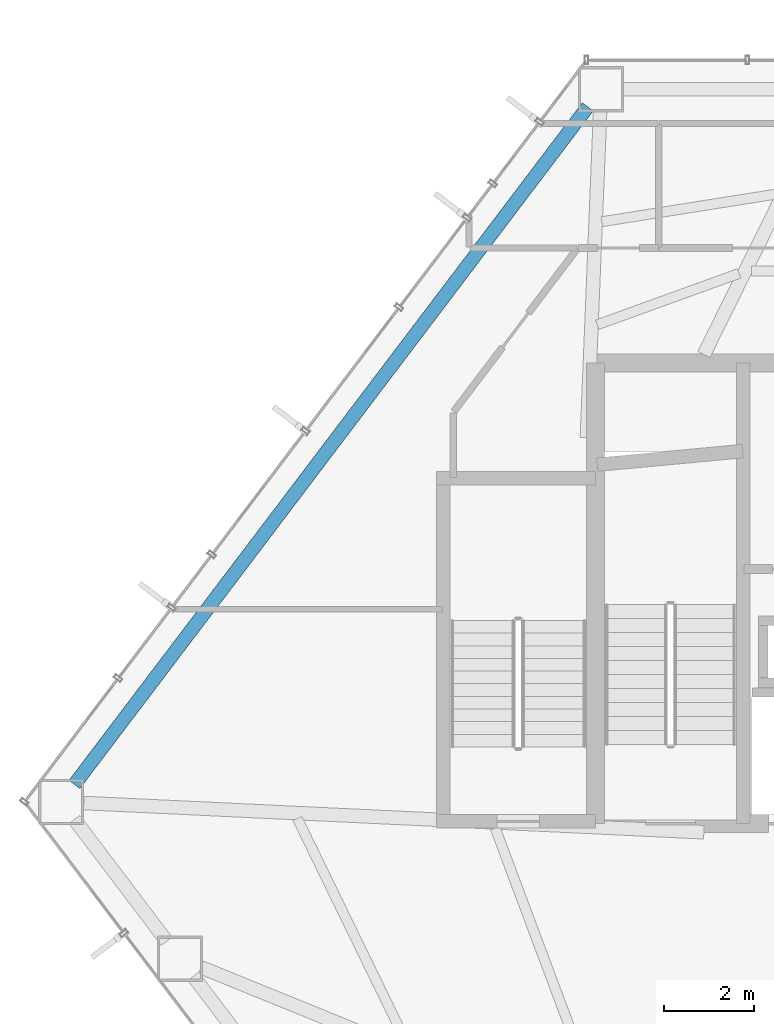
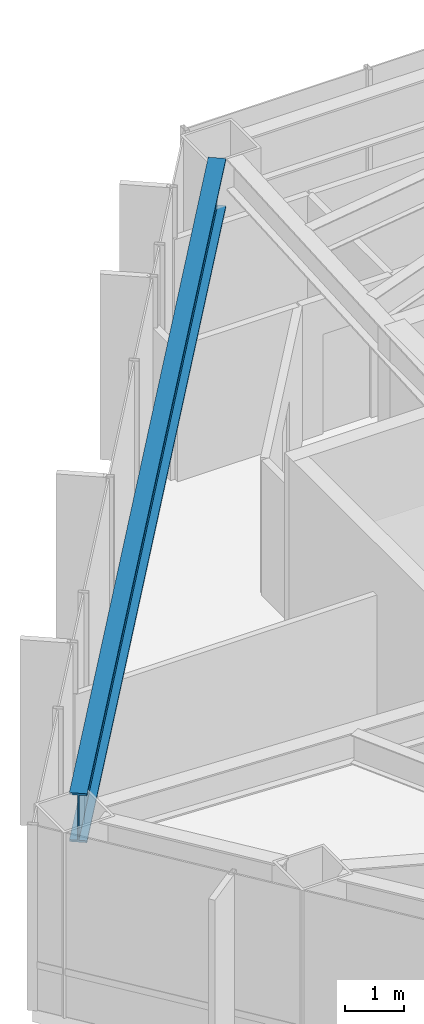
# One storey, part 10 of 26: 1 beam.
"""IFC4 building model written with IfcOpenShell, lengths in metres."""

from ifc_helpers import new_model, si_unit, direction, frame, origin, origin_2d, place, context, subcontext, project, spatial, i_section, extrude, material, material_profile, profile_set, type_object, element, save


model = new_model("IFC4")

# Units and contexts
model_context = context("Model", 3, precision=1e-05, world=origin(), true_north=direction((0.0, 1.0)))
body_context = subcontext(model_context, "Body", "Model", "MODEL_VIEW")
ifc_project = project(units=[si_unit("LENGTHUNIT", "METRE"), si_unit("AREAUNIT", "SQUARE_METRE"), si_unit("VOLUMEUNIT", "CUBIC_METRE"), si_unit("PLANEANGLEUNIT", "RADIAN"), si_unit("MASSUNIT", "GRAM", prefix="KILO")], contexts=[model_context])

# Site, building, storey
site_placement = place(None, origin())
site = spatial("IfcSite", under=ifc_project, at=site_placement, CompositionType="ELEMENT")
building_placement = place(site_placement, origin())
building = spatial("IfcBuilding", under=site, at=building_placement, Name="Zarrinselat Tower", CompositionType="ELEMENT")
storey_placement = place(building_placement, frame((0.0, 0.0, 31.6201171875)))
storey = spatial("IfcBuildingStorey", under=building, at=storey_placement, Name="L07", CompositionType="ELEMENT", Elevation=31.6201171875)

# Beam
ifc_material = material(Name="Steel S460M", Category="steel")
ifc_material_profile = material_profile(ifc_material, i_section(OverallWidth=0.302001953125, OverallDepth=1.008056640625, WebThickness=0.02099609375, FlangeThickness=0.0400390625, at=origin_2d()), Name="HEM 1000")
ifc_profile_set = profile_set([ifc_material_profile], Name="Steel S460M")
beam_type = type_object("IfcBeamType", Name="BM-HEM1000", PredefinedType="BEAM", material=ifc_profile_set)
beam_placement = place(storey_placement, frame((17.06298828125, 34.12060546875, 3.31591796875), z_axis=(0.603857687995, 0.797092148154, 0.0), x_axis=(-0.797092148154, 0.603857687995, 0.0)))
element("IfcBeam", 1, at=beam_placement, inside=storey, type_object=beam_type, Name="L07 Perimeter Spandrel Girder SP05", PredefinedType="BEAM", context=body_context, shape_type="SweptSolid", body=[
    extrude(i_section(OverallWidth=0.302001953125, OverallDepth=1.008056640625, WebThickness=0.02099609375, FlangeThickness=0.0400390625, at=origin_2d()), origin(), (0.0, 0.0, 1.0), 18.8203125),
])

save(model, "model.ifc")
